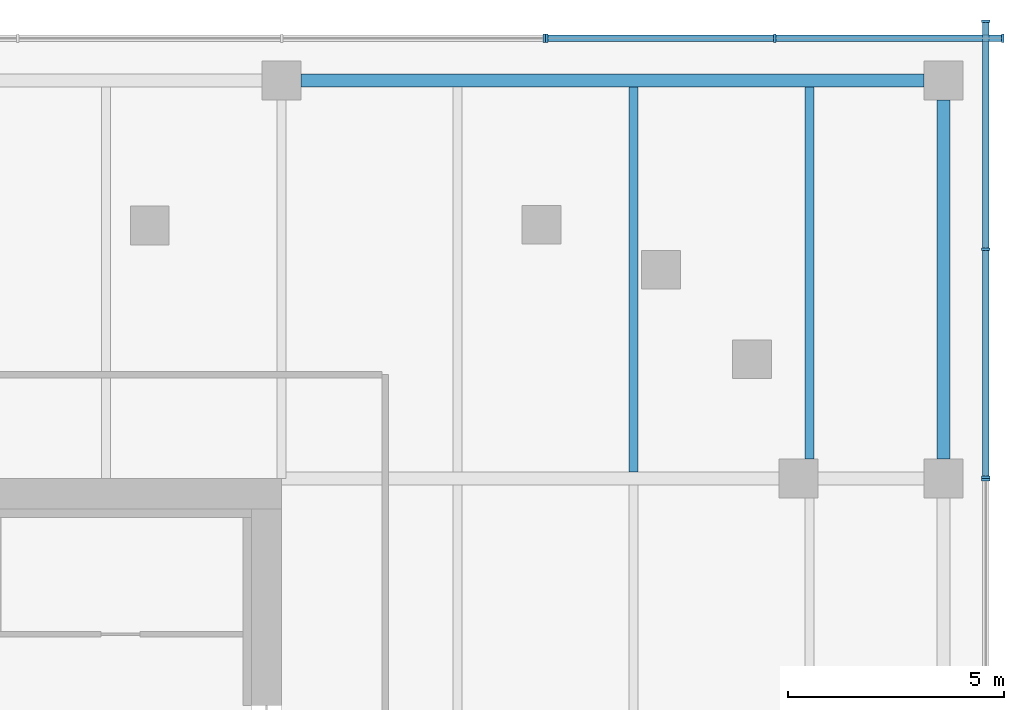
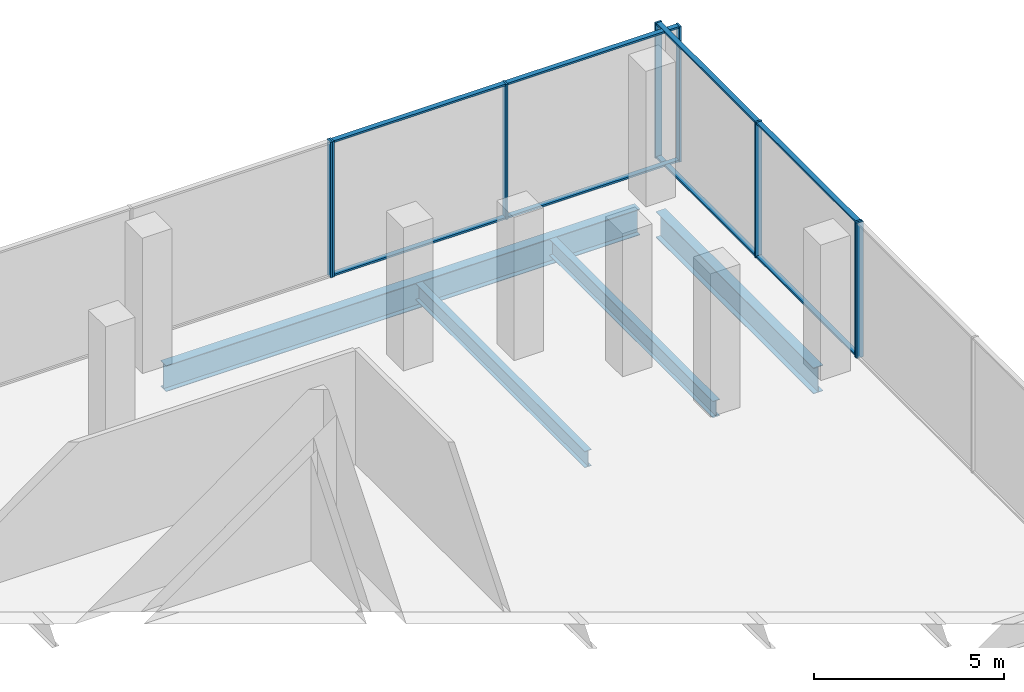
# One storey, part 15 of 33: 16 members, 4 beams, 4 elements without a shape of their own.
"""IFC4 building model written with IfcOpenShell, lengths in metres."""

import ifcopenshell
import ifcopenshell.guid

model = None  # the IFC model being written
_history = None  # IfcOwnerHistory: only IFC2X3 demands one
_inside = {}  # id of a spatial element -> (the spatial element, [elements in it])
_under = {}  # id of a project, library or spatial element -> (it, [spatial elements below it])
_declared = {}  # id of a project -> (the project, [libraries it declares])
_typed = {}  # id of a type object -> (the type object, [elements of that type])
_made_of = {}  # id of a material, layer set ... -> (it, [elements and type objects made of it])


def new_model(schema):
    """Start an empty IFC model of exactly this schema.

    Asked for "IFC4X3", IfcOpenShell would pick the latest addendum, in which some entities
    have other attributes; the version numbers below select the first issue.
    IFC2X3 requires an IfcOwnerHistory on every rooted entity: one is made here for all.
    """
    global model, _history
    if schema == "IFC4X3":
        model = ifcopenshell.file(schema_version=(4, 3, 0, 0))
    else:
        model = ifcopenshell.file(schema=schema)
    _inside.clear()
    _under.clear()
    _declared.clear()
    _typed.clear()
    _made_of.clear()
    _history = None
    if model.schema == "IFC2X3":
        org = make("IfcOrganization", Name="unknown")
        user = make(
            "IfcPersonAndOrganization",
            ThePerson=make("IfcPerson", FamilyName="unknown"),
            TheOrganization=org,
        )
        app = make(
            "IfcApplication",
            ApplicationDeveloper=org,
            Version="unknown",
            ApplicationFullName="unknown",
            ApplicationIdentifier="unknown",
        )
        _history = make(
            "IfcOwnerHistory",
            OwningUser=user,
            OwningApplication=app,
            ChangeAction="ADDED",
            CreationDate=0,
        )
    return model


def make(cls, **values):
    """One entity of the class cls with the attributes given. An attribute that is None is left unset."""
    return model.create_entity(
        cls, **{name: value for name, value in values.items() if value is not None}
    )


def rooted(cls, **values):
    """An entity with a GlobalId (a new one), such as an element, a storey or a relation."""
    return make(cls, GlobalId=ifcopenshell.guid.new(), OwnerHistory=_history, **values)


def si_unit(unit_type, name, prefix=None):
    """IfcSIUnit, for example si_unit("LENGTHUNIT", "METRE", prefix="MILLI")."""
    return make("IfcSIUnit", UnitType=unit_type, Prefix=prefix, Name=name)


def assignment(units):
    """IfcUnitAssignment: the units of a project."""
    return None if units is None else make("IfcUnitAssignment", Units=units)


def point(xyz):
    """IfcCartesianPoint."""
    return None if xyz is None else make("IfcCartesianPoint", Coordinates=xyz)


def direction(xyz):
    """IfcDirection."""
    return None if xyz is None else make("IfcDirection", DirectionRatios=xyz)


def frame(location, z_axis=None, x_axis=None):
    """IfcAxis2Placement3D, a coordinate frame: its origin and axes. An axis left out is left unset."""
    return make(
        "IfcAxis2Placement3D",
        Location=point(location),
        Axis=direction(z_axis),
        RefDirection=direction(x_axis),
    )


def frame_2d(location, x_axis=None):
    """IfcAxis2Placement2D, a coordinate frame in the plane: its origin and x axis."""
    return make(
        "IfcAxis2Placement2D", Location=point(location), RefDirection=direction(x_axis)
    )


def origin():
    """The frame at (0, 0, 0) with its axes left unset."""
    return frame((0.0, 0.0, 0.0))


def origin_2d():
    """The frame at (0, 0) in the plane with its x axis left unset."""
    return frame_2d((0.0, 0.0))


def place(relative_to, where):
    """IfcLocalPlacement: puts the frame where relative to a parent placement (None: the world)."""
    return make(
        "IfcLocalPlacement", PlacementRelTo=relative_to, RelativePlacement=where
    )


def context(
    kind, dimensions, precision=None, world=None, true_north=None, identifier=None
):
    """IfcGeometricRepresentationContext, for example the 3D "Model" context."""
    return make(
        "IfcGeometricRepresentationContext",
        ContextIdentifier=identifier,
        ContextType=kind,
        CoordinateSpaceDimension=dimensions,
        Precision=precision,
        WorldCoordinateSystem=world,
        TrueNorth=true_north,
    )


def subcontext(parent, identifier, kind, view, scale=None):
    """IfcGeometricRepresentationSubContext, for example "Body" below "Model"."""
    return make(
        "IfcGeometricRepresentationSubContext",
        ContextIdentifier=identifier,
        ContextType=kind,
        ParentContext=parent,
        TargetScale=scale,
        TargetView=view,
    )


def project(units=None, contexts=None):
    """IfcProject with its units and contexts."""
    return rooted(
        "IfcProject",
        Name="project",
        RepresentationContexts=contexts,
        UnitsInContext=assignment(units),
    )


def spatial(cls, under=None, at=None, **own):
    """A site, building, storey or space (cls), placed at a placement, below another one or the project."""
    s = rooted(cls, ObjectPlacement=at, **own)
    if under is not None:
        _under.setdefault(under.id(), (under, []))[1].append(s)
    return s


def profile(cls, at=None, kind="AREA", **sizes):
    """A parametric profile (cls). Its sizes go by their IFC names, for example OverallWidth=200.0."""
    return make(cls, ProfileType=kind, Position=at, **sizes)


def rectangle(**sizes):
    """IfcRectangleProfileDef."""
    return profile("IfcRectangleProfileDef", **sizes)


def i_section(**sizes):
    """IfcIShapeProfileDef."""
    return profile("IfcIShapeProfileDef", **sizes)


def extrude(swept, where, along, depth):
    """IfcExtrudedAreaSolid: the profile swept, set in the frame where, extruded along a direction by depth."""
    return make(
        "IfcExtrudedAreaSolid",
        SweptArea=swept,
        Position=where,
        ExtrudedDirection=direction(along),
        Depth=depth,
    )


def shape(context_of_items, identifier, shape_type, items):
    """IfcShapeRepresentation: the items that make up one representation, for example the "Body"."""
    return make(
        "IfcShapeRepresentation",
        ContextOfItems=context_of_items,
        RepresentationIdentifier=identifier,
        RepresentationType=shape_type,
        Items=items,
    )


def material(Name=None, Category=None):
    """IfcMaterial."""
    return make("IfcMaterial", Name=Name, Category=Category)


def material_profile(
    of_material, cross_section, Name=None, Category=None, Priority=None
):
    """IfcMaterialProfile: a cross section and its material."""
    return make(
        "IfcMaterialProfile",
        Name=Name,
        Material=of_material,
        Profile=cross_section,
        Priority=Priority,
        Category=Category,
    )


def profile_set(profiles, Name=None, composite=None):
    """IfcMaterialProfileSet."""
    return make(
        "IfcMaterialProfileSet",
        Name=Name,
        MaterialProfiles=profiles,
        CompositeProfile=composite,
    )


def made_of(thing, what):
    """Note that an element or type object is made of a material, layer set ...; save() writes the relation."""
    if what is not None:
        _made_of.setdefault(what.id(), (what, []))[1].append(thing)
    return thing


def type_object(cls, material=None, **own):
    """A type object (cls), such as IfcWallType, which elements share."""
    return made_of(rooted(cls, **own), material)


def element(
    cls,
    number,
    at=None,
    inside=None,
    cuts=None,
    type_object=None,
    material=None,
    context=None,
    identifier="Body",
    shape_type=None,
    held_by="IfcProductDefinitionShape",
    body=None,
    shapes=None,
    **own,
):
    """One element of the class cls, such as IfcWall. Its Tag is "e" and its number.

    at: its placement. inside: the storey or other place that contains it. cuts: it is an
    opening in that element (IfcRelVoidsElement). A single representation is given by context,
    identifier, shape_type and body (its items); several are given by shapes. held_by: the class
    of the entity that holds the representations. save() writes the other relations.
    """
    e = rooted(cls, Tag="e%d" % number, ObjectPlacement=at, **own)
    if body is not None:
        shapes = [shape(context, identifier, shape_type, body)]
    if shapes is not None:
        e.Representation = make(held_by, Representations=shapes)
    if inside is not None:
        _inside.setdefault(inside.id(), (inside, []))[1].append(e)
    if cuts is not None:
        rooted(
            "IfcRelVoidsElement", RelatingBuildingElement=cuts, RelatedOpeningElement=e
        )
    if type_object is not None:
        _typed.setdefault(type_object.id(), (type_object, []))[1].append(e)
    return made_of(e, material)


def aggregate(whole, parts):
    """IfcRelAggregates: a whole, such as a stair, and the parts it consists of."""
    return rooted("IfcRelAggregates", RelatingObject=whole, RelatedObjects=parts)


def save(model, path):
    """Write the relations noted so far, then the file.

    IfcRelAggregates (storeys below a building ...), IfcRelContainedInSpatialStructure (elements
    in a storey), IfcRelDefinesByType, IfcRelAssociatesMaterial and IfcRelDeclares: one each for
    every whole, place, type object, material and project.
    """
    for whole, parts in _under.values():
        aggregate(whole, parts)
    for where, things in _inside.values():
        rooted(
            "IfcRelContainedInSpatialStructure",
            RelatedElements=things,
            RelatingStructure=where,
        )
    for kind, things in _typed.values():
        rooted("IfcRelDefinesByType", RelatedObjects=things, RelatingType=kind)
    for what, things in _made_of.values():
        rooted("IfcRelAssociatesMaterial", RelatedObjects=things, RelatingMaterial=what)
    for by, libraries in _declared.values():
        rooted("IfcRelDeclares", RelatingContext=by, RelatedDefinitions=libraries)
    model.write(path)


model = new_model("IFC4")

# Units and contexts
model_context = context("Model", 3, precision=1e-05, world=origin(), true_north=direction((0.0, 1.0)))
body_context = subcontext(model_context, "Body", "Model", "MODEL_VIEW")
ifc_project = project(units=[si_unit("LENGTHUNIT", "METRE"), si_unit("AREAUNIT", "SQUARE_METRE"), si_unit("VOLUMEUNIT", "CUBIC_METRE"), si_unit("PLANEANGLEUNIT", "RADIAN"), si_unit("MASSUNIT", "GRAM", prefix="KILO")], contexts=[model_context])

# Site, building, storey
site_placement = place(None, origin())
site = spatial("IfcSite", under=ifc_project, at=site_placement, CompositionType="ELEMENT")
building_placement = place(site_placement, origin())
building = spatial("IfcBuilding", under=site, at=building_placement, Name="Tessera Gate Towers", CompositionType="ELEMENT")
storey_placement = place(building_placement, frame((0.0, 0.0, 12.0)))
storey = spatial("IfcBuildingStorey", under=building, at=storey_placement, Name="L02", CompositionType="ELEMENT", Elevation=12.0)

# Beams
ifc_material_1 = material(Name="Steel 350W", Category="steel")
ifc_material_profile_1 = material_profile(ifc_material_1, i_section(OverallWidth=0.2919921875, OverallDepth=0.8349609375, WebThickness=0.013916015625, FlangeThickness=0.018798828125, at=origin_2d()), Name="W840x176")
ifc_profile_set_1 = profile_set([ifc_material_profile_1], Name="Steel 350W")
beam_type_1 = type_object("IfcBeamType", Name="FLOOR GIRDER W840x176", PredefinedType="BEAM", material=ifc_profile_set_1)
beam_1_placement = place(storey_placement, frame((122.449951171875, 58.0, -0.66748046875), z_axis=(1.0, 0.0, 0.0), x_axis=(0.0, 1.0, 0.0)))
element("IfcBeam", 1, at=beam_1_placement, inside=storey, type_object=beam_type_1, Name="PD-GD-L02-414", PredefinedType="BEAM", context=body_context, shape_type="SweptSolid", body=[
    extrude(i_section(OverallWidth=0.2919921875, OverallDepth=0.8349609375, WebThickness=0.013916015625, FlangeThickness=0.018798828125, at=origin_2d()), origin(), (0.0, 0.0, 1.0), 14.400146484375),
])
beam_2_placement = place(storey_placement, frame((137.300048828125, 49.25, -0.66748046875), z_axis=(0.0, 1.0, 0.0), x_axis=(-1.0, 0.0, 0.0)))
element("IfcBeam", 2, at=beam_2_placement, inside=storey, type_object=beam_type_1, Name="PD-GD-L02-440", PredefinedType="BEAM", context=body_context, shape_type="SweptSolid", body=[
    extrude(i_section(OverallWidth=0.2919921875, OverallDepth=0.8349609375, WebThickness=0.013916015625, FlangeThickness=0.018798828125, at=origin_2d()), origin(), (0.0, 0.0, 1.0), 8.300048828125),
])
ifc_material_2 = material(Name="Steel 350W", Category="steel")
ifc_material_profile_2 = material_profile(ifc_material_2, i_section(OverallWidth=0.208984375, OverallDepth=0.528076171875, WebThickness=0.009521484375, FlangeThickness=0.01318359375, at=origin_2d()), Name="W530x82")
ifc_profile_set_2 = profile_set([ifc_material_profile_2], Name="Steel 350W")
beam_type_2 = type_object("IfcBeamType", Name="FLOOR SECONDARY W530x82", PredefinedType="BEAM", material=ifc_profile_set_2)
beam_3_placement = place(storey_placement, frame((130.13330078125, 48.946044921875, -0.513916015625), z_axis=(0.0, 1.0, 0.0), x_axis=(-1.0, 0.0, 0.0)))
element("IfcBeam", 3, at=beam_3_placement, inside=storey, type_object=beam_type_2, Name="PD-BM-L02-550", PredefinedType="BEAM", context=body_context, shape_type="SweptSolid", body=[
    extrude(i_section(OverallWidth=0.208984375, OverallDepth=0.528076171875, WebThickness=0.009521484375, FlangeThickness=0.01318359375, at=origin_2d()), origin(), (0.0, 0.0, 1.0), 8.907958984375),
])
beam_4_placement = place(storey_placement, frame((134.199951171875, 49.25, -0.513916015625), z_axis=(0.0, 1.0, 0.0), x_axis=(-1.0, 0.0, 0.0)))
element("IfcBeam", 4, at=beam_4_placement, inside=storey, type_object=beam_type_2, Name="PD-BM-L02-554", PredefinedType="BEAM", context=body_context, shape_type="SweptSolid", body=[
    extrude(i_section(OverallWidth=0.208984375, OverallDepth=0.528076171875, WebThickness=0.009521484375, FlangeThickness=0.01318359375, at=origin_2d()), origin(), (0.0, 0.0, 1.0), 8.60400390625),
])

# Curtain wall, member
ifc_material_3 = material(Name="Aluminium frame", Category="aluminium")
curtain_wall_type = type_object("IfcCurtainWallType", Name="CW-S1 podium storefront", PredefinedType="NOTDEFINED", material=ifc_material_3)
curtain_wall_1_placement = place(storey_placement, origin())
curtain_wall_1 = element("IfcCurtainWall", 5, at=curtain_wall_1_placement, inside=storey, type_object=curtain_wall_type, Name="Curtain wall podium storefront 0180", PredefinedType="NOTDEFINED")
ifc_material_4 = material(Name="Aluminium frame", Category="aluminium")
ifc_material_profile_3 = material_profile(ifc_material_4, rectangle(XDim=0.06005859375, YDim=0.199951171875, at=origin_2d()), Name="AL 60x200")
ifc_profile_set_3 = profile_set([ifc_material_profile_3], Name="Aluminium frame")
member_type_1 = type_object("IfcMemberType", Name="MU-S1 mullion 60x200", PredefinedType="MULLION", material=ifc_profile_set_3)
member_1_placement = place(storey_placement, frame((138.27490234375, 48.77001953125, 0.0), z_axis=(0.0, 0.0, 1.0), x_axis=(0.0, 1.0, 0.0)))
member_1 = element("IfcMember", 6, at=member_1_placement, type_object=member_type_1, Name="PD-CW1-0180 mullion 6", PredefinedType="MULLION", context=body_context, shape_type="SweptSolid", body=[
    extrude(rectangle(XDim=0.06005859375, YDim=0.199951171875, at=origin_2d()), origin(), (0.0, 0.0, 1.0), 4.35009765625),
])
aggregate(curtain_wall_1, [member_1])

# Curtain wall, members
curtain_wall_2_placement = place(storey_placement, origin())
curtain_wall_2 = element("IfcCurtainWall", 7, at=curtain_wall_2_placement, inside=storey, type_object=curtain_wall_type, Name="Curtain wall podium storefront 0183", PredefinedType="NOTDEFINED")
member_2_placement = place(storey_placement, frame((138.27490234375, 48.830078125, 0.0), z_axis=(0.0, 0.0, 1.0), x_axis=(0.0, 1.0, 0.0)))
member_2 = element("IfcMember", 8, at=member_2_placement, type_object=member_type_1, Name="PD-CW1-0183 mullion 1", PredefinedType="MULLION", context=body_context, shape_type="SweptSolid", body=[
    extrude(rectangle(XDim=0.06005859375, YDim=0.199951171875, at=origin_2d()), origin(), (0.0, 0.0, 1.0), 4.35009765625),
])
member_3_placement = place(storey_placement, frame((138.27490234375, 54.10009765625, 0.0), z_axis=(0.0, 0.0, 1.0), x_axis=(0.0, 1.0, 0.0)))
member_3 = element("IfcMember", 9, at=member_3_placement, type_object=member_type_1, Name="PD-CW1-0183 mullion 2", PredefinedType="MULLION", context=body_context, shape_type="SweptSolid", body=[
    extrude(rectangle(XDim=0.06005859375, YDim=0.199951171875, at=origin_2d()), origin(), (0.0, 0.0, 1.0), 4.35009765625),
])
member_4_placement = place(storey_placement, frame((138.27490234375, 59.3701171875, 0.0), z_axis=(0.0, 0.0, 1.0), x_axis=(0.0, 1.0, 0.0)))
member_4 = element("IfcMember", 10, at=member_4_placement, type_object=member_type_1, Name="PD-CW1-0183 mullion 3", PredefinedType="MULLION", context=body_context, shape_type="SweptSolid", body=[
    extrude(rectangle(XDim=0.06005859375, YDim=0.199951171875, at=origin_2d()), origin(), (0.0, 0.0, 1.0), 4.35009765625),
])

curtain_wall_3_placement = place(storey_placement, origin())
curtain_wall_3 = element("IfcCurtainWall", 11, at=curtain_wall_3_placement, inside=storey, type_object=curtain_wall_type, Name="Curtain wall podium storefront 0186", PredefinedType="NOTDEFINED")
member_5_placement = place(storey_placement, frame((138.669921875, 58.97509765625, 0.0), z_axis=(0.0, 0.0, 1.0), x_axis=(-1.0, 0.0, 0.0)))
member_5 = element("IfcMember", 12, at=member_5_placement, type_object=member_type_1, Name="PD-CW1-0186 mullion 1", PredefinedType="MULLION", context=body_context, shape_type="SweptSolid", body=[
    extrude(rectangle(XDim=0.06005859375, YDim=0.199951171875, at=origin_2d()), origin(), (0.0, 0.0, 1.0), 4.35009765625),
])
member_6_placement = place(storey_placement, frame((133.39990234375, 58.97509765625, 0.0), z_axis=(0.0, 0.0, 1.0), x_axis=(-1.0, 0.0, 0.0)))
member_6 = element("IfcMember", 13, at=member_6_placement, type_object=member_type_1, Name="PD-CW1-0186 mullion 2", PredefinedType="MULLION", context=body_context, shape_type="SweptSolid", body=[
    extrude(rectangle(XDim=0.06005859375, YDim=0.199951171875, at=origin_2d()), origin(), (0.0, 0.0, 1.0), 4.35009765625),
])
member_7_placement = place(storey_placement, frame((128.1298828125, 58.97509765625, 0.0), z_axis=(0.0, 0.0, 1.0), x_axis=(-1.0, 0.0, 0.0)))
member_7 = element("IfcMember", 14, at=member_7_placement, type_object=member_type_1, Name="PD-CW1-0186 mullion 3", PredefinedType="MULLION", context=body_context, shape_type="SweptSolid", body=[
    extrude(rectangle(XDim=0.06005859375, YDim=0.199951171875, at=origin_2d()), origin(), (0.0, 0.0, 1.0), 4.35009765625),
])

# Curtain wall, member
curtain_wall_4_placement = place(storey_placement, origin())
curtain_wall_4 = element("IfcCurtainWall", 15, at=curtain_wall_4_placement, inside=storey, type_object=curtain_wall_type, Name="Curtain wall podium storefront 0193", PredefinedType="NOTDEFINED")
member_8_placement = place(storey_placement, frame((128.070068359375, 58.97509765625, 0.0), z_axis=(0.0, 0.0, 1.0), x_axis=(-1.0, 0.0, 0.0)))
member_8 = element("IfcMember", 16, at=member_8_placement, type_object=member_type_1, Name="PD-CW1-0193 mullion 1", PredefinedType="MULLION", context=body_context, shape_type="SweptSolid", body=[
    extrude(rectangle(XDim=0.06005859375, YDim=0.199951171875, at=origin_2d()), origin(), (0.0, 0.0, 1.0), 4.35009765625),
])
aggregate(curtain_wall_4, [member_8])

# Member
ifc_material_5 = material(Name="Aluminium frame", Category="aluminium")
ifc_material_profile_4 = material_profile(ifc_material_5, rectangle(XDim=0.14990234375, YDim=0.06005859375, at=origin_2d()), Name="AL 60x150")
ifc_profile_set_4 = profile_set([ifc_material_profile_4], Name="Aluminium frame")
member_type_2 = type_object("IfcMemberType", Name="TR-S1 transom 60x150", PredefinedType="USERDEFINED", material=ifc_profile_set_4)
member_9_placement = place(storey_placement, frame((138.27490234375, 48.860107421875, 0.030029296875), z_axis=(0.0, 1.0, 0.0), x_axis=(-1.0, 0.0, 0.0)))
member_9 = element("IfcMember", 17, at=member_9_placement, type_object=member_type_2, Name="PD-CW1-0183 transom 1.1", ObjectType="TRANSOM", PredefinedType="USERDEFINED", context=body_context, shape_type="SweptSolid", body=[
    extrude(rectangle(XDim=0.14990234375, YDim=0.06005859375, at=origin_2d()), origin(), (0.0, 0.0, 1.0), 5.2099609375),
])

member_10_placement = place(storey_placement, frame((138.27490234375, 48.860107421875, 4.320068359375), z_axis=(0.0, 1.0, 0.0), x_axis=(-1.0, 0.0, 0.0)))
member_10 = element("IfcMember", 18, at=member_10_placement, type_object=member_type_2, Name="PD-CW1-0183 transom 1.2", ObjectType="TRANSOM", PredefinedType="USERDEFINED", context=body_context, shape_type="SweptSolid", body=[
    extrude(rectangle(XDim=0.14990234375, YDim=0.06005859375, at=origin_2d()), origin(), (0.0, 0.0, 1.0), 5.2099609375),
])

member_11_placement = place(storey_placement, frame((138.27490234375, 54.1298828125, 0.030029296875), z_axis=(0.0, 1.0, 0.0), x_axis=(-1.0, 0.0, 0.0)))
member_11 = element("IfcMember", 19, at=member_11_placement, type_object=member_type_2, Name="PD-CW1-0183 transom 2.1", ObjectType="TRANSOM", PredefinedType="USERDEFINED", context=body_context, shape_type="SweptSolid", body=[
    extrude(rectangle(XDim=0.14990234375, YDim=0.06005859375, at=origin_2d()), origin(), (0.0, 0.0, 1.0), 5.210205078125),
])

member_12_placement = place(storey_placement, frame((138.27490234375, 54.1298828125, 4.320068359375), z_axis=(0.0, 1.0, 0.0), x_axis=(-1.0, 0.0, 0.0)))
member_12 = element("IfcMember", 20, at=member_12_placement, type_object=member_type_2, Name="PD-CW1-0183 transom 2.2", ObjectType="TRANSOM", PredefinedType="USERDEFINED", context=body_context, shape_type="SweptSolid", body=[
    extrude(rectangle(XDim=0.14990234375, YDim=0.06005859375, at=origin_2d()), origin(), (0.0, 0.0, 1.0), 5.210205078125),
])

aggregate(curtain_wall_2, [member_2, member_3, member_4, member_9, member_10, member_11, member_12])

member_13_placement = place(storey_placement, frame((138.639892578125, 58.97509765625, 0.030029296875), z_axis=(-1.0, 0.0, 0.0), x_axis=(0.0, -1.0, 0.0)))
member_13 = element("IfcMember", 21, at=member_13_placement, type_object=member_type_2, Name="PD-CW1-0186 transom 1.1", ObjectType="TRANSOM", PredefinedType="USERDEFINED", context=body_context, shape_type="SweptSolid", body=[
    extrude(rectangle(XDim=0.14990234375, YDim=0.06005859375, at=origin_2d()), origin(), (0.0, 0.0, 1.0), 5.2099609375),
])

member_14_placement = place(storey_placement, frame((138.639892578125, 58.97509765625, 4.320068359375), z_axis=(-1.0, 0.0, 0.0), x_axis=(0.0, -1.0, 0.0)))
member_14 = element("IfcMember", 22, at=member_14_placement, type_object=member_type_2, Name="PD-CW1-0186 transom 1.2", ObjectType="TRANSOM", PredefinedType="USERDEFINED", context=body_context, shape_type="SweptSolid", body=[
    extrude(rectangle(XDim=0.14990234375, YDim=0.06005859375, at=origin_2d()), origin(), (0.0, 0.0, 1.0), 5.2099609375),
])

member_15_placement = place(storey_placement, frame((133.3701171875, 58.97509765625, 0.030029296875), z_axis=(-1.0, 0.0, 0.0), x_axis=(0.0, -1.0, 0.0)))
member_15 = element("IfcMember", 23, at=member_15_placement, type_object=member_type_2, Name="PD-CW1-0186 transom 2.1", ObjectType="TRANSOM", PredefinedType="USERDEFINED", context=body_context, shape_type="SweptSolid", body=[
    extrude(rectangle(XDim=0.14990234375, YDim=0.06005859375, at=origin_2d()), origin(), (0.0, 0.0, 1.0), 5.210205078125),
])

member_16_placement = place(storey_placement, frame((133.3701171875, 58.97509765625, 4.320068359375), z_axis=(-1.0, 0.0, 0.0), x_axis=(0.0, -1.0, 0.0)))
member_16 = element("IfcMember", 24, at=member_16_placement, type_object=member_type_2, Name="PD-CW1-0186 transom 2.2", ObjectType="TRANSOM", PredefinedType="USERDEFINED", context=body_context, shape_type="SweptSolid", body=[
    extrude(rectangle(XDim=0.14990234375, YDim=0.06005859375, at=origin_2d()), origin(), (0.0, 0.0, 1.0), 5.210205078125),
])

aggregate(curtain_wall_3, [member_5, member_6, member_7, member_13, member_14, member_15, member_16])

save(model, "model.ifc")
